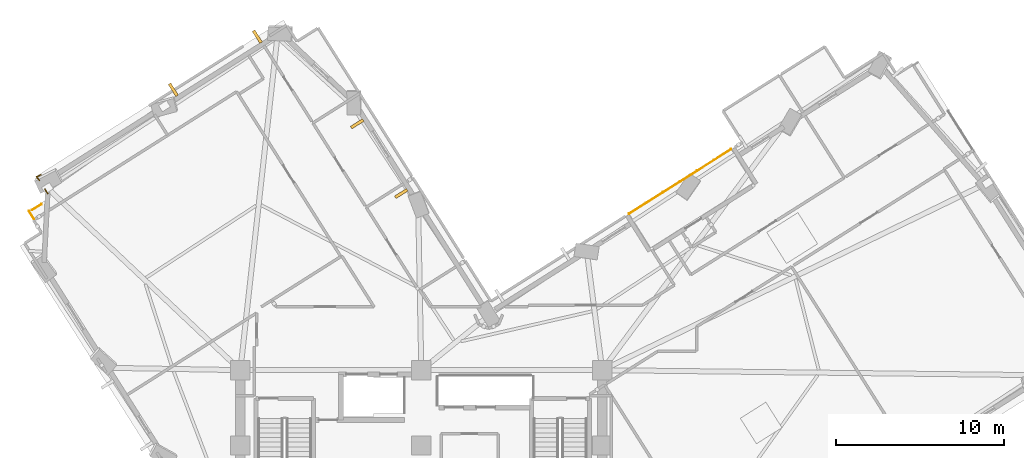
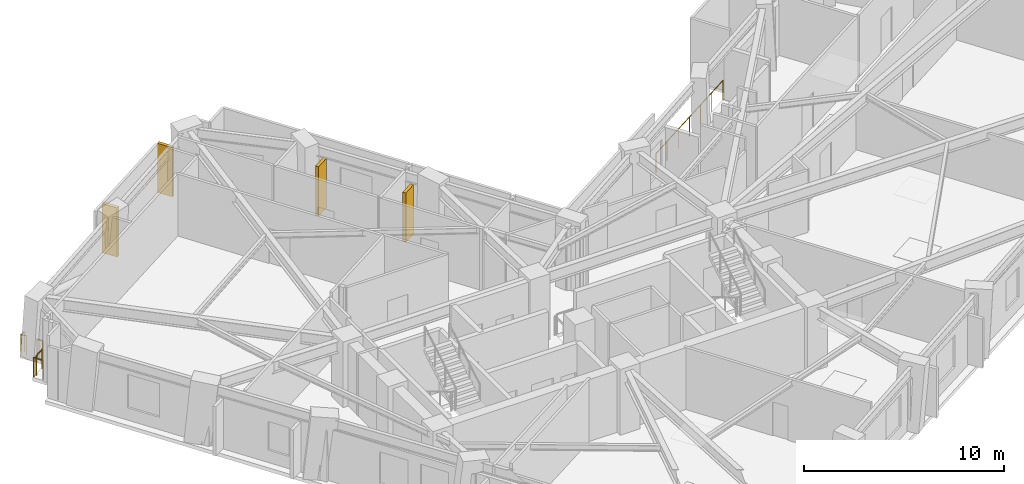
# One storey, part 13 of 14: 5 railings, 4 shading devices.
"""IFC4 building model written with IfcOpenShell, lengths in metres."""

from ifc_helpers import new_model, si_unit, direction, frame, origin, origin_2d, place, context, subcontext, project, spatial, rectangle, circle, extrude, material, layer, layer_set, type_object, element, save


model = new_model("IFC4")

# Units and contexts
model_context = context("Model", 3, precision=1e-05, world=origin(), true_north=direction((0.0, 1.0)))
body_context = subcontext(model_context, "Body", "Model", "MODEL_VIEW")
ifc_project = project(units=[si_unit("LENGTHUNIT", "METRE"), si_unit("AREAUNIT", "SQUARE_METRE"), si_unit("VOLUMEUNIT", "CUBIC_METRE"), si_unit("PLANEANGLEUNIT", "RADIAN"), si_unit("MASSUNIT", "GRAM", prefix="KILO")], contexts=[model_context])

# Site, building, storey
site_placement = place(None, origin())
site = spatial("IfcSite", under=ifc_project, at=site_placement, CompositionType="ELEMENT")
building_placement = place(site_placement, origin())
building = spatial("IfcBuilding", under=site, at=building_placement, Name="Gaonmaruhae Medical Tower", CompositionType="ELEMENT")
storey_placement = place(building_placement, frame((0.0, 0.0, 161.800048828125)))
storey = spatial("IfcBuildingStorey", under=building, at=storey_placement, Name="L38", CompositionType="ELEMENT", Elevation=161.800048828125)

# Railings
ifc_material_1 = material(Name="Stainless steel 316L and laminated safety glass", Category="steel")
ifc_layer = layer(ifc_material_1, 0.080078125)
ifc_layer_set = layer_set([ifc_layer], Name="Stainless steel 316L and laminated safety glass")
railing_type = type_object("IfcRailingType", Name="GD-120 Outdoor Terrace Safety Glass & Steel Balustrade", PredefinedType="BALUSTRADE", material=ifc_layer_set)
railing_1_placement = place(storey_placement, frame((43.29248046875, 29.980712890625, 0.0)))
element("IfcRailing", 1, at=railing_1_placement, inside=storey, type_object=railing_type, Name="L38 Terrace Safety Guard RL-SLB-L38-TER-03", PredefinedType="BALUSTRADE", context=body_context, shape_type="SweptSolid", body=[
    extrude(circle(Radius=0.02392578125, at=origin_2d()), frame((0.0, 0.0, 1.17578125), z_axis=(-0.845274505483, -0.534332303329, 0.0), x_axis=(0.534332303329, -0.845274505483, 0.0)), (0.0, 0.0, 1.0), 7.199951171875),
    extrude(circle(Radius=0.02099609375, at=origin_2d()), origin(), (0.0, 0.0, 1.0), 1.15185546875),
    extrude(circle(Radius=0.02099609375, at=origin_2d()), frame((-1.014404296875, -0.64111328125, 0.0)), (0.0, 0.0, 1.0), 1.15185546875),
    extrude(circle(Radius=0.02099609375, at=origin_2d()), frame((-2.028564453125, -1.282470703125, 0.0)), (0.0, 0.0, 1.0), 1.15185546875),
    extrude(circle(Radius=0.02099609375, at=origin_2d()), frame((-3.04296875, -1.923583984375, 0.0)), (0.0, 0.0, 1.0), 1.15185546875),
    extrude(circle(Radius=0.02099609375, at=origin_2d()), frame((-4.057373046875, -2.564697265625, 0.0)), (0.0, 0.0, 1.0), 1.15185546875),
    extrude(circle(Radius=0.02099609375, at=origin_2d()), frame((-5.071533203125, -3.2060546875, 0.0)), (0.0, 0.0, 1.0), 1.15185546875),
    extrude(circle(Radius=0.02099609375, at=origin_2d()), frame((-6.0859375, -3.84716796875, 0.0)), (0.0, 0.0, 1.0), 1.15185546875),
])
railing_2_placement = place(storey_placement, frame((1.68408203125, 25.82421875, 0.0)))
element("IfcRailing", 2, at=railing_2_placement, inside=storey, type_object=railing_type, Name="L38 Perimeter Slab Edge Safety Balustrade 05", PredefinedType="BALUSTRADE", context=body_context, shape_type="SweptSolid", body=[
    extrude(circle(Radius=0.02392578125, at=origin_2d()), frame((0.0, 0.0, 1.17578125), z_axis=(-0.534107815866, 0.8454163714, 0.0), x_axis=(-0.8454163714, -0.534107815866, 0.0)), (0.0, 0.0, 1.0), 0.56005859375),
    extrude(circle(Radius=0.02099609375, at=origin_2d()), origin(), (0.0, 0.0, 1.0), 1.15185546875),
    extrude(circle(Radius=0.02099609375, at=origin_2d()), frame((-0.299072265625, 0.473388671875, 0.0)), (0.0, 0.0, 1.0), 1.15185546875),
])
railing_3_placement = place(storey_placement, frame((1.56640625, 26.353271484375, 0.0)))
element("IfcRailing", 3, at=railing_3_placement, inside=storey, type_object=railing_type, Name="L38 Perimeter Slab Edge Safety Balustrade 06", PredefinedType="BALUSTRADE", context=body_context, shape_type="SweptSolid", body=[
    extrude(circle(Radius=0.02392578125, at=origin_2d()), frame((0.0, 0.0, 1.17578125), z_axis=(0.84545374811, 0.534048649288, 0.0), x_axis=(-0.534048649288, 0.84545374811, 0.0)), (0.0, 0.0, 1.0), 0.66015625),
    extrude(circle(Radius=0.02099609375, at=origin_2d()), origin(), (0.0, 0.0, 1.0), 1.15185546875),
    extrude(circle(Radius=0.02099609375, at=origin_2d()), frame((0.55810546875, 0.3525390625, 0.0)), (0.0, 0.0, 1.0), 1.15185546875),
])
railing_4_placement = place(storey_placement, frame((2.506591796875, 27.330078125, 0.0)))
element("IfcRailing", 4, at=railing_4_placement, inside=storey, type_object=railing_type, Name="L38 Perimeter Slab Edge Safety Balustrade 07", PredefinedType="BALUSTRADE", context=body_context, shape_type="SweptSolid", body=[
    extrude(circle(Radius=0.02392578125, at=origin_2d()), frame((0.0, 0.0, 1.17578125), z_axis=(-0.533824203648, 0.845595482249, 0.0), x_axis=(-0.845595482249, -0.533824203648, 0.0)), (0.0, 0.0, 1.0), 0.32666015625),
    extrude(circle(Radius=0.02099609375, at=origin_2d()), origin(), (0.0, 0.0, 1.0), 1.15185546875),
    extrude(circle(Radius=0.02099609375, at=origin_2d()), frame((-0.17431640625, 0.276123046875, 0.0)), (0.0, 0.0, 1.0), 1.15185546875),
])
railing_5_placement = place(storey_placement, frame((2.01171875, 28.11328125, 0.0)))
element("IfcRailing", 5, at=railing_5_placement, inside=storey, type_object=railing_type, Name="L38 Perimeter Corner Safety Balustrade 09", PredefinedType="BALUSTRADE", context=body_context, shape_type="SweptSolid", body=[
    extrude(circle(Radius=0.02392578125, at=origin_2d()), frame((0.0, 0.0, 1.17578125), z_axis=(-0.633977951973, 0.773351121039, 0.0), x_axis=(-0.773351121039, -0.633977951973, 0.0)), (0.0, 0.0, 1.0), 0.287353515625),
    extrude(circle(Radius=0.02392578125, at=origin_2d()), frame((-0.18212890625, 0.22216796875, 1.17578125), z_axis=(0.904066297261, 0.427392243912, 0.0), x_axis=(-0.427392243912, 0.904066297261, 0.0)), (0.0, 0.0, 1.0), 0.287353515625),
    extrude(circle(Radius=0.02099609375, at=origin_2d()), origin(), (0.0, 0.0, 1.0), 1.15185546875),
    extrude(circle(Radius=0.02099609375, at=origin_2d()), frame((-0.18212890625, 0.22216796875, 0.0)), (0.0, 0.0, 1.0), 1.15185546875),
    extrude(circle(Radius=0.02099609375, at=origin_2d()), frame((0.07763671875, 0.344970703125, 0.0)), (0.0, 0.0, 1.0), 1.15185546875),
])

# Shading devices
ifc_material_2 = material(Name="Pigmented coral precast concrete C45/55", Category="concrete")
shading_device_type = type_object("IfcShadingDeviceType", Name="SD-FIN1 Tower Vertical Coral Precast Shading Fin", PredefinedType="USERDEFINED", material=ifc_material_2)
for number, where, z_axis, x_axis, name in (
    (6, (23.601318359375, 27.338623046875, 0.08251953125), (0.0, 0.0, 1.0), (-0.53436710191, 0.845252506885, 0.0), "L38 Vertical Coral Precast Shading Fin NE01"),
    (7, (20.970703125, 31.499755859375, 0.08251953125), (0.0, 0.0, 1.0), (-0.53436710191, 0.845252506885, 0.0), "L38 Vertical Coral Precast Shading Fin NE01B"),
    (8, (9.99755859375, 33.53466796875, 0.08251953125), (0.0, 0.0, 1.0), (0.845261833222, 0.53435234939, 0.0), "L38 Vertical Coral Precast Shading Fin N01"),
    (9, (15.010498046875, 36.70361328125, 0.08251953125), (0.0, 0.0, 1.0), (0.845261833222, 0.53435234939, 0.0), "L38 Vertical Coral Precast Shading Fin N01B"),
):
    element("IfcShadingDevice", number, at=place(storey_placement, frame(where, z_axis=z_axis, x_axis=x_axis)), inside=storey, type_object=shading_device_type, Name=name, ObjectType="FIN", PredefinedType="USERDEFINED", context=body_context, shape_type="SweptSolid", body=[
        extrude(rectangle(XDim=0.179931640625, YDim=0.85009765625, at=origin_2d()), origin(), (0.0, 0.0, 1.0), 3.0),
    ])

save(model, "model.ifc")
